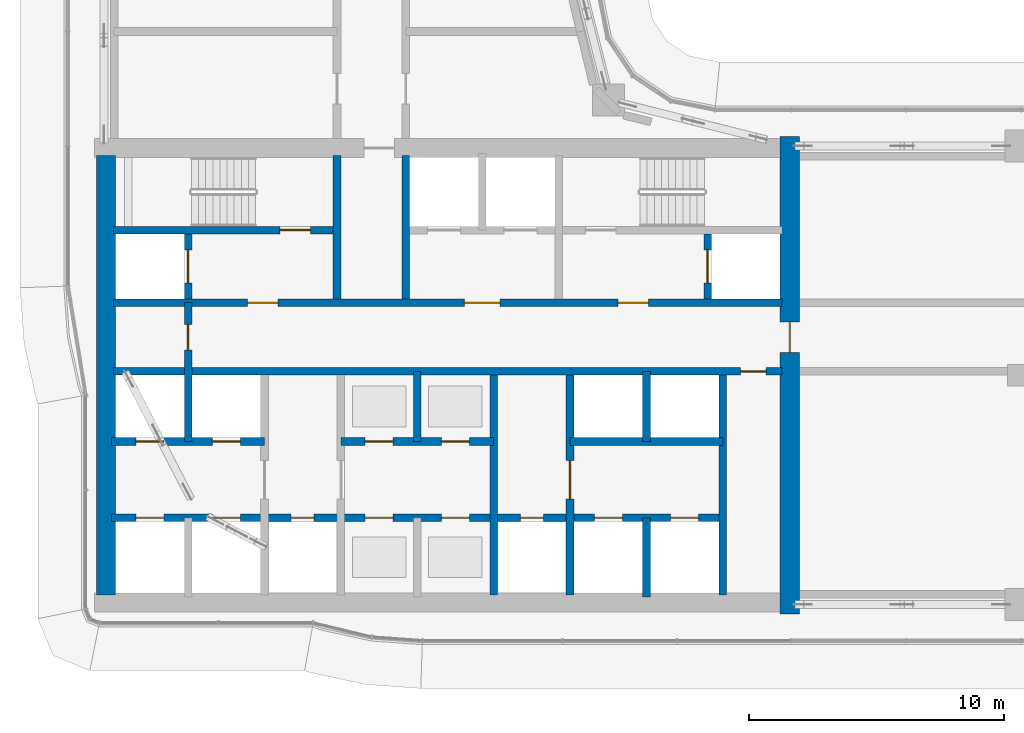
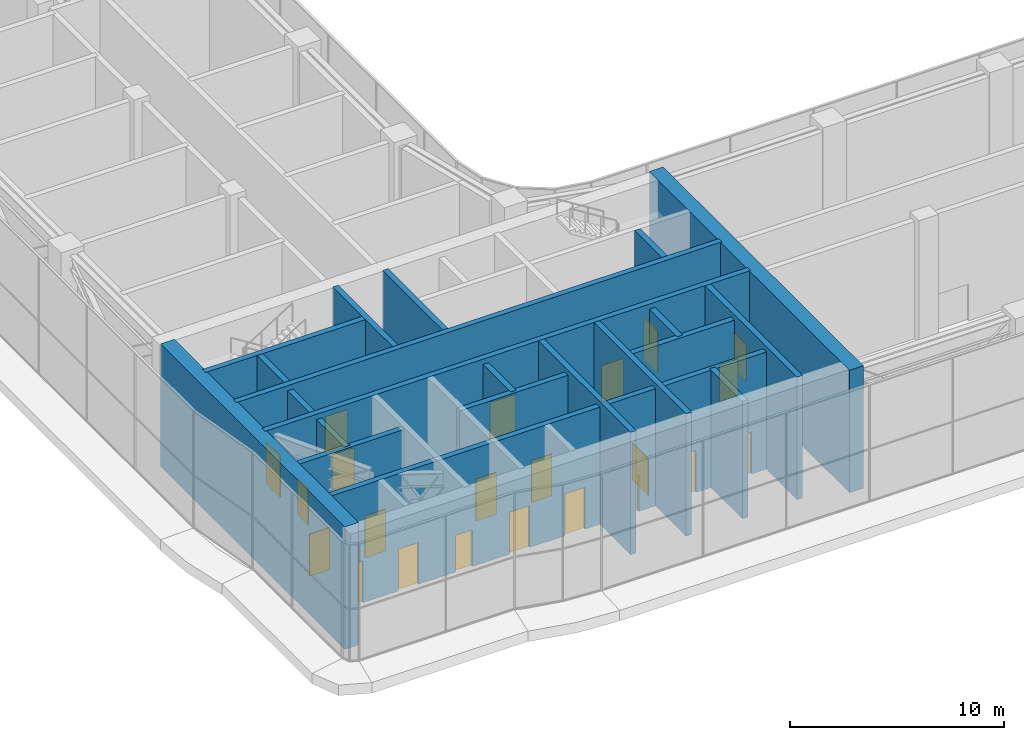
# One storey, part 16 of 35: 22 doors, 20 walls, 22 openings.
"""IFC4 building model written with IfcOpenShell, lengths in metres."""

from ifc_helpers import new_model, si_unit, direction, frame, frame_2d, origin, place, context, subcontext, project, spatial, rectangle, extrude, material, layer, layer_set, type_object, element, fill, save


model = new_model("IFC4")

# Units and contexts
model_context = context("Model", 3, precision=1e-05, world=origin(), true_north=direction((0.0, 1.0)))
body_context = subcontext(model_context, "Body", "Model", "MODEL_VIEW")
ifc_project = project(units=[si_unit("LENGTHUNIT", "METRE"), si_unit("AREAUNIT", "SQUARE_METRE"), si_unit("VOLUMEUNIT", "CUBIC_METRE"), si_unit("PLANEANGLEUNIT", "RADIAN"), si_unit("MASSUNIT", "GRAM", prefix="KILO")], contexts=[model_context])

# Site, building, storey
site_placement = place(None, origin())
site = spatial("IfcSite", under=ifc_project, at=site_placement, CompositionType="ELEMENT")
building_placement = place(site_placement, origin())
building = spatial("IfcBuilding", under=site, at=building_placement, Name="Ogive Portal Towers", CompositionType="ELEMENT")
storey_placement = place(building_placement, frame((0.0, 0.0, 135.199951171875)))
storey = spatial("IfcBuildingStorey", under=building, at=storey_placement, Name="L33", CompositionType="ELEMENT", Elevation=135.199951171875)

# Wall
ifc_material_1 = material(Name="Concrete C60/75", Category="concrete")
ifc_layer_1 = layer(ifc_material_1, 0.300048828125)
ifc_layer_set_1 = layer_set([ifc_layer_1], Name="CORE WALL 300 C60")
wall_type_1 = type_object("IfcWallType", Name="CORE WALL 300 C60", PredefinedType="SHEAR", material=ifc_layer_set_1)
wall_1_placement = place(storey_placement, frame((46.800048828125, 21.875, 0.0), z_axis=(0.0, 0.0, 1.0), x_axis=(0.0, 1.0, 0.0)))
element("IfcWall", 1, at=wall_1_placement, inside=storey, type_object=wall_type_1, Name="Core wall X3 L33", PredefinedType="SHEAR", context=body_context, shape_type="SweptSolid", body=[
    extrude(rectangle(XDim=8.625, YDim=0.300048828125, at=frame_2d((4.3125, 0.0))), origin(), (0.0, 0.0, 1.0), 7.0),
])

# Wall, opening, door
wall_2_placement = place(storey_placement, frame((49.800048828125, 21.875, 0.0), z_axis=(0.0, 0.0, 1.0), x_axis=(0.0, 1.0, 0.0)))
wall_2 = element("IfcWall", 2, at=wall_2_placement, inside=storey, type_object=wall_type_1, Name="Core wall X4 L33", PredefinedType="SHEAR", context=body_context, shape_type="SweptSolid", body=[
    extrude(rectangle(XDim=8.625, YDim=0.300048828125, at=frame_2d((4.3125, 0.0))), origin(), (0.0, 0.0, 1.0), 7.0),
])
opening_1_placement = place(wall_2_placement, frame((3.77490234375, 0.0, 0.0)))
opening_1 = element("IfcOpeningElement", 3, at=opening_1_placement, cuts=wall_2, Name="Opening D12-003", PredefinedType="OPENING", context=body_context, shape_type="SweptSolid", body=[
    extrude(rectangle(XDim=1.5, YDim=2.10009765625, at=frame_2d((0.75, 1.050048828125))), frame((0.0, 0.16015625, 0.0), z_axis=(0.0, -1.0, 0.0), x_axis=(1.0, 0.0, 0.0)), (0.0, 0.0, 1.0), 0.320068359375),
])
ifc_material_2 = material(Name="Steel fire door", Category="steel")
door_type_1 = type_object("IfcDoorType", Name="DT-SWING-1500x2100-FD90S", OperationType="SINGLE_SWING_LEFT", PredefinedType="DOOR", material=ifc_material_2)
door_1_placement = place(opening_1_placement, origin())
door_1 = element("IfcDoor", 4, at=door_1_placement, inside=storey, type_object=door_type_1, Name="Door D12-003", OperationType="SINGLE_SWING_LEFT", OverallHeight=2.10009765625, OverallWidth=1.5, PredefinedType="DOOR", context=body_context, shape_type="SweptSolid", body=[
    extrude(rectangle(XDim=1.5, YDim=2.10009765625, at=frame_2d((0.75, 1.050048828125))), frame((0.0, 0.02490234375, 0.0), z_axis=(0.0, -1.0, 0.0), x_axis=(1.0, 0.0, 0.0)), (0.0, 0.0, 1.0), 0.050048828125),
])
fill(opening_1, door_1)

# Wall
wall_3_placement = place(storey_placement, frame((55.800048828125, 21.875, 0.0), z_axis=(0.0, 0.0, 1.0), x_axis=(0.0, 1.0, 0.0)))
element("IfcWall", 5, at=wall_3_placement, inside=storey, type_object=wall_type_1, Name="Core wall X5 L33", PredefinedType="SHEAR", context=body_context, shape_type="SweptSolid", body=[
    extrude(rectangle(XDim=8.625, YDim=0.300048828125, at=frame_2d((4.3125, 0.0))), origin(), (0.0, 0.0, 1.0), 7.0),
])

# Wall, opening, door
wall_4_placement = place(storey_placement, frame((31.875, 30.64990234375, 0.0), z_axis=(0.0, 0.0, 1.0), x_axis=(1.0, 0.0, 0.0)))
wall_4 = element("IfcWall", 6, at=wall_4_placement, inside=storey, type_object=wall_type_1, Name="Core wall Y1 L33", PredefinedType="SHEAR", context=body_context, shape_type="SweptSolid", body=[
    extrude(rectangle(XDim=26.25, YDim=0.300048828125, at=frame_2d((13.125, 0.0))), origin(), (0.0, 0.0, 1.0), 7.0),
])
opening_2_placement = place(wall_4_placement, frame((24.625, 0.0, 0.0)))
opening_2 = element("IfcOpeningElement", 7, at=opening_2_placement, cuts=wall_4, Name="Opening D12-011", PredefinedType="OPENING", context=body_context, shape_type="SweptSolid", body=[
    extrude(rectangle(XDim=1.0, YDim=2.10009765625, at=frame_2d((0.5, 1.050048828125))), frame((0.0, 0.16015625, 0.0), z_axis=(0.0, -1.0, 0.0), x_axis=(1.0, 0.0, 0.0)), (0.0, 0.0, 1.0), 0.320068359375),
])
door_type_2 = type_object("IfcDoorType", Name="DT-SWING-1000x2100-FD90S", OperationType="SINGLE_SWING_LEFT", PredefinedType="DOOR", material=ifc_material_2)
door_2_placement = place(opening_2_placement, origin())
door_2 = element("IfcDoor", 8, at=door_2_placement, inside=storey, type_object=door_type_2, Name="Door D12-011", OperationType="SINGLE_SWING_LEFT", OverallHeight=2.10009765625, OverallWidth=1.0, PredefinedType="DOOR", context=body_context, shape_type="SweptSolid", body=[
    extrude(rectangle(XDim=1.0, YDim=2.10009765625, at=frame_2d((0.5, 1.050048828125))), frame((0.0, 0.02490234375, 0.0), z_axis=(0.0, -1.0, 0.0), x_axis=(1.0, 0.0, 0.0)), (0.0, 0.0, 1.0), 0.050048828125),
])
fill(opening_2, door_2)

# Wall, openings, doors
wall_5_placement = place(storey_placement, frame((31.875, 33.35009765625, 0.0), z_axis=(0.0, 0.0, 1.0), x_axis=(1.0, 0.0, 0.0)))
wall_5 = element("IfcWall", 9, at=wall_5_placement, inside=storey, type_object=wall_type_1, Name="Core wall Y2 L33", PredefinedType="SHEAR", context=body_context, shape_type="SweptSolid", body=[
    extrude(rectangle(XDim=26.25, YDim=0.300048828125, at=frame_2d((13.125, 0.0))), origin(), (0.0, 0.0, 1.0), 7.0),
])
opening_3_placement = place(wall_5_placement, frame((13.77490234375, 0.0, 0.0)))
opening_3 = element("IfcOpeningElement", 10, at=opening_3_placement, cuts=wall_5, Name="Opening D12-004", PredefinedType="OPENING", context=body_context, shape_type="SweptSolid", body=[
    extrude(rectangle(XDim=1.39990234375, YDim=2.10009765625, at=frame_2d((0.699951171875, 1.050048828125))), frame((0.0, 0.16015625, 0.0), z_axis=(0.0, -1.0, 0.0), x_axis=(1.0, 0.0, 0.0)), (0.0, 0.0, 1.0), 0.320068359375),
])
opening_4_placement = place(wall_5_placement, frame((5.25, 0.0, 0.0)))
opening_4 = element("IfcOpeningElement", 11, at=opening_4_placement, cuts=wall_5, Name="Opening D12-005", PredefinedType="OPENING", context=body_context, shape_type="SweptSolid", body=[
    extrude(rectangle(XDim=1.199951171875, YDim=2.10009765625, at=frame_2d((0.60009765625, 1.050048828125))), frame((0.0, 0.16015625, 0.0), z_axis=(0.0, -1.0, 0.0), x_axis=(1.0, 0.0, 0.0)), (0.0, 0.0, 1.0), 0.320068359375),
])
opening_5_placement = place(wall_5_placement, frame((19.800048828125, 0.0, 0.0)))
opening_5 = element("IfcOpeningElement", 12, at=opening_5_placement, cuts=wall_5, Name="Opening D12-006", PredefinedType="OPENING", context=body_context, shape_type="SweptSolid", body=[
    extrude(rectangle(XDim=1.199951171875, YDim=2.10009765625, at=frame_2d((0.60009765625, 1.050048828125))), frame((0.0, 0.16015625, 0.0), z_axis=(0.0, -1.0, 0.0), x_axis=(1.0, 0.0, 0.0)), (0.0, 0.0, 1.0), 0.320068359375),
])
door_type_3 = type_object("IfcDoorType", Name="DT-SWING-1200x2100-FD90S", OperationType="SINGLE_SWING_LEFT", PredefinedType="DOOR", material=ifc_material_2)
door_3_placement = place(opening_4_placement, origin())
door_3 = element("IfcDoor", 13, at=door_3_placement, inside=storey, type_object=door_type_3, Name="Door D12-005", OperationType="SINGLE_SWING_LEFT", OverallHeight=2.10009765625, OverallWidth=1.199951171875, PredefinedType="DOOR", context=body_context, shape_type="SweptSolid", body=[
    extrude(rectangle(XDim=1.199951171875, YDim=2.10009765625, at=frame_2d((0.60009765625, 1.050048828125))), frame((0.0, 0.02490234375, 0.0), z_axis=(0.0, -1.0, 0.0), x_axis=(1.0, 0.0, 0.0)), (0.0, 0.0, 1.0), 0.050048828125),
])
fill(opening_4, door_3)
door_4_placement = place(opening_5_placement, origin())
door_4 = element("IfcDoor", 14, at=door_4_placement, inside=storey, type_object=door_type_3, Name="Door D12-006", OperationType="SINGLE_SWING_RIGHT", OverallHeight=2.10009765625, OverallWidth=1.199951171875, PredefinedType="DOOR", context=body_context, shape_type="SweptSolid", body=[
    extrude(rectangle(XDim=1.199951171875, YDim=2.10009765625, at=frame_2d((0.60009765625, 1.050048828125))), frame((0.0, 0.02490234375, 0.0), z_axis=(0.0, -1.0, 0.0), x_axis=(1.0, 0.0, 0.0)), (0.0, 0.0, 1.0), 0.050048828125),
])
fill(opening_5, door_4)
door_type_4 = type_object("IfcDoorType", Name="DT-SWING-1400x2100-FD90S", OperationType="SINGLE_SWING_LEFT", PredefinedType="DOOR", material=ifc_material_2)
door_5_placement = place(opening_3_placement, origin())
door_5 = element("IfcDoor", 15, at=door_5_placement, inside=storey, type_object=door_type_4, Name="Door D12-004", OperationType="SINGLE_SWING_RIGHT", OverallHeight=2.10009765625, OverallWidth=1.39990234375, PredefinedType="DOOR", context=body_context, shape_type="SweptSolid", body=[
    extrude(rectangle(XDim=1.39990234375, YDim=2.10009765625, at=frame_2d((0.699951171875, 1.050048828125))), frame((0.0, 0.02490234375, 0.0), z_axis=(0.0, -1.0, 0.0), x_axis=(1.0, 0.0, 0.0)), (0.0, 0.0, 1.0), 0.050048828125),
])
fill(opening_3, door_5)

# Wall, opening, door
wall_6_placement = place(storey_placement, frame((31.875, 36.199951171875, 0.0), z_axis=(0.0, 0.0, 1.0), x_axis=(1.0, 0.0, 0.0)))
wall_6 = element("IfcWall", 16, at=wall_6_placement, inside=storey, type_object=wall_type_1, Name="Core wall Y3a L33", PredefinedType="SHEAR", context=body_context, shape_type="SweptSolid", body=[
    extrude(rectangle(XDim=8.625, YDim=0.300048828125, at=frame_2d((4.3125, 0.0))), origin(), (0.0, 0.0, 1.0), 7.0),
])
opening_6_placement = place(wall_6_placement, frame((6.52490234375, 0.0, 0.0)))
opening_6 = element("IfcOpeningElement", 17, at=opening_6_placement, cuts=wall_6, Name="Opening D12-007", PredefinedType="OPENING", context=body_context, shape_type="SweptSolid", body=[
    extrude(rectangle(XDim=1.199951171875, YDim=2.10009765625, at=frame_2d((0.60009765625, 1.050048828125))), frame((0.0, 0.16015625, 0.0), z_axis=(0.0, -1.0, 0.0), x_axis=(1.0, 0.0, 0.0)), (0.0, 0.0, 1.0), 0.320068359375),
])
door_6_placement = place(opening_6_placement, origin())
door_6 = element("IfcDoor", 18, at=door_6_placement, inside=storey, type_object=door_type_3, Name="Door D12-007", OperationType="SINGLE_SWING_RIGHT", OverallHeight=2.10009765625, OverallWidth=1.199951171875, PredefinedType="DOOR", context=body_context, shape_type="SweptSolid", body=[
    extrude(rectangle(XDim=1.199951171875, YDim=2.10009765625, at=frame_2d((0.60009765625, 1.050048828125))), frame((0.0, 0.02490234375, 0.0), z_axis=(0.0, -1.0, 0.0), x_axis=(1.0, 0.0, 0.0)), (0.0, 0.0, 1.0), 0.050048828125),
])
fill(opening_6, door_6)

# Walls
for number, where, z_axis, x_axis, name in (
    (19, (40.64990234375, 33.5, 0.0), (0.0, 0.0, 1.0), (0.0, 1.0, 0.0), "Core wall X6 L33"),
    (20, (43.35009765625, 33.5, 0.0), (0.0, 0.0, 1.0), (0.0, 1.0, 0.0), "Core wall X7 L33"),
):
    element("IfcWall", number, at=place(storey_placement, frame(where, z_axis=z_axis, x_axis=x_axis)), inside=storey, type_object=wall_type_1, Name=name, PredefinedType="SHEAR", context=body_context, shape_type="SweptSolid", body=[
        extrude(rectangle(XDim=5.625, YDim=0.300048828125, at=frame_2d((2.8125, 0.0))), origin(), (0.0, 0.0, 1.0), 7.0),
    ])

# Wall, opening, door
wall_7_placement = place(storey_placement, frame((34.800048828125, 33.5, 0.0), z_axis=(0.0, 0.0, 1.0), x_axis=(0.0, 1.0, 0.0)))
wall_7 = element("IfcWall", 21, at=wall_7_placement, inside=storey, type_object=wall_type_1, Name="Core wall X8 L33", PredefinedType="SHEAR", context=body_context, shape_type="SweptSolid", body=[
    extrude(rectangle(XDim=2.550048828125, YDim=0.300048828125, at=frame_2d((1.27490234375, 0.0))), origin(), (0.0, 0.0, 1.0), 7.0),
])
opening_7_placement = place(wall_7_placement, frame((0.625, 0.0, 0.0)))
opening_7 = element("IfcOpeningElement", 22, at=opening_7_placement, cuts=wall_7, Name="Opening D12-026", PredefinedType="OPENING", context=body_context, shape_type="SweptSolid", body=[
    extrude(rectangle(XDim=1.300048828125, YDim=2.39990234375, at=frame_2d((0.64990234375, 1.199951171875))), frame((0.0, 0.16015625, 0.0), z_axis=(0.0, -1.0, 0.0), x_axis=(1.0, 0.0, 0.0)), (0.0, 0.0, 1.0), 0.320068359375),
])
ifc_material_3 = material(Name="Stainless steel", Category="steel")
door_type_5 = type_object("IfcDoorType", Name="DT-LD-1300x2400", OperationType="SLIDING_TO_LEFT", PredefinedType="DOOR", material=ifc_material_3)
door_7_placement = place(opening_7_placement, origin())
door_7 = element("IfcDoor", 23, at=door_7_placement, inside=storey, type_object=door_type_5, Name="Door D12-026", OperationType="SLIDING_TO_LEFT", OverallHeight=2.39990234375, OverallWidth=1.300048828125, PredefinedType="DOOR", context=body_context, shape_type="SweptSolid", body=[
    extrude(rectangle(XDim=1.300048828125, YDim=2.39990234375, at=frame_2d((0.64990234375, 1.199951171875))), frame((0.0, 0.02490234375, 0.0), z_axis=(0.0, -1.0, 0.0), x_axis=(1.0, 0.0, 0.0)), (0.0, 0.0, 1.0), 0.050048828125),
])
fill(opening_7, door_7)

wall_8_placement = place(storey_placement, frame((55.199951171875, 33.5, 0.0), z_axis=(0.0, 0.0, 1.0), x_axis=(0.0, 1.0, 0.0)))
wall_8 = element("IfcWall", 24, at=wall_8_placement, inside=storey, type_object=wall_type_1, Name="Core wall X10 L33", PredefinedType="SHEAR", context=body_context, shape_type="SweptSolid", body=[
    extrude(rectangle(XDim=2.550048828125, YDim=0.300048828125, at=frame_2d((1.27490234375, 0.0))), origin(), (0.0, 0.0, 1.0), 7.0),
])
opening_8_placement = place(wall_8_placement, frame((0.625, 0.0, 0.0)))
opening_8 = element("IfcOpeningElement", 25, at=opening_8_placement, cuts=wall_8, Name="Opening D12-027", PredefinedType="OPENING", context=body_context, shape_type="SweptSolid", body=[
    extrude(rectangle(XDim=1.300048828125, YDim=2.39990234375, at=frame_2d((0.64990234375, 1.199951171875))), frame((0.0, 0.16015625, 0.0), z_axis=(0.0, -1.0, 0.0), x_axis=(1.0, 0.0, 0.0)), (0.0, 0.0, 1.0), 0.320068359375),
])
door_8_placement = place(opening_8_placement, origin())
door_8 = element("IfcDoor", 26, at=door_8_placement, inside=storey, type_object=door_type_5, Name="Door D12-027", OperationType="SLIDING_TO_LEFT", OverallHeight=2.39990234375, OverallWidth=1.300048828125, PredefinedType="DOOR", context=body_context, shape_type="SweptSolid", body=[
    extrude(rectangle(XDim=1.300048828125, YDim=2.39990234375, at=frame_2d((0.64990234375, 1.199951171875))), frame((0.0, 0.02490234375, 0.0), z_axis=(0.0, -1.0, 0.0), x_axis=(1.0, 0.0, 0.0)), (0.0, 0.0, 1.0), 0.050048828125),
])
fill(opening_8, door_8)

# Wall
ifc_layer_2 = layer(ifc_material_1, 0.75)
ifc_layer_set_2 = layer_set([ifc_layer_2], Name="CORE WALL 750 C60")
wall_type_2 = type_object("IfcWallType", Name="CORE WALL 750 C60", PredefinedType="SHEAR", material=ifc_layer_set_2)
wall_9_placement = place(storey_placement, frame((31.574951171875, 21.875, 0.0), z_axis=(0.0, 0.0, 1.0), x_axis=(0.0, 1.0, 0.0)))
element("IfcWall", 27, at=wall_9_placement, inside=storey, type_object=wall_type_2, Name="Core wall W L33", PredefinedType="SHEAR", context=body_context, shape_type="SweptSolid", body=[
    extrude(rectangle(XDim=17.25, YDim=0.75, at=frame_2d((8.625, 0.0))), origin(), (0.0, 0.0, 1.0), 7.0),
])

# Wall, opening, door
wall_10_placement = place(storey_placement, frame((58.425048828125, 21.125, 0.0), z_axis=(0.0, 0.0, 1.0), x_axis=(0.0, 1.0, 0.0)))
wall_10 = element("IfcWall", 28, at=wall_10_placement, inside=storey, type_object=wall_type_2, Name="Core wall E L33", PredefinedType="SHEAR", context=body_context, shape_type="SweptSolid", body=[
    extrude(rectangle(XDim=18.75, YDim=0.75, at=frame_2d((9.375, 0.0))), origin(), (0.0, 0.0, 1.0), 7.0),
])
opening_9_placement = place(wall_10_placement, frame((10.27490234375, 0.0, 0.0)))
opening_9 = element("IfcOpeningElement", 29, at=opening_9_placement, cuts=wall_10, Name="Opening D12-012", PredefinedType="OPENING", context=body_context, shape_type="SweptSolid", body=[
    extrude(rectangle(XDim=1.199951171875, YDim=2.10009765625, at=frame_2d((0.60009765625, 1.050048828125))), frame((0.0, 0.385009765625, 0.0), z_axis=(0.0, -1.0, 0.0), x_axis=(1.0, 0.0, 0.0)), (0.0, 0.0, 1.0), 0.77001953125),
])
door_9_placement = place(opening_9_placement, origin())
door_9 = element("IfcDoor", 30, at=door_9_placement, inside=storey, type_object=door_type_3, Name="Door D12-012", OperationType="SINGLE_SWING_LEFT", OverallHeight=2.10009765625, OverallWidth=1.199951171875, PredefinedType="DOOR", context=body_context, shape_type="SweptSolid", body=[
    extrude(rectangle(XDim=1.199951171875, YDim=2.10009765625, at=frame_2d((0.60009765625, 1.050048828125))), frame((0.0, 0.02490234375, 0.0), z_axis=(0.0, -1.0, 0.0), x_axis=(1.0, 0.0, 0.0)), (0.0, 0.0, 1.0), 0.050048828125),
])
fill(opening_9, door_9)

# Wall, openings, doors
ifc_material_4 = material(Name="Concrete C40/50", Category="concrete")
ifc_layer_3 = layer(ifc_material_4, 0.300048828125)
ifc_layer_set_3 = layer_set([ifc_layer_3], Name="WT-SHAFT-300")
wall_type_3 = type_object("IfcWallType", Name="WT-SHAFT-300", PredefinedType="SOLIDWALL", material=ifc_layer_set_3)
wall_11_placement = place(storey_placement, frame((31.800048828125, 24.89990234375, 0.0), z_axis=(0.0, 0.0, 1.0), x_axis=(1.0, 0.0, 0.0)))
wall_11 = element("IfcWall", 31, at=wall_11_placement, inside=storey, type_object=wall_type_3, Name="Wall pw:001:L33", PredefinedType="SOLIDWALL", context=body_context, shape_type="SweptSolid", body=[
    extrude(rectangle(XDim=24.0, YDim=0.300048828125, at=frame_2d((12.0, 0.0))), origin(), (0.0, 0.0, 1.0), 6.699951171875),
])
opening_10_placement = place(wall_11_placement, frame((7.050048828125, 0.0, 0.0)))
opening_10 = element("IfcOpeningElement", 32, at=opening_10_placement, cuts=wall_11, Name="Opening D12-009", PredefinedType="OPENING", context=body_context, shape_type="SweptSolid", body=[
    extrude(rectangle(XDim=0.89990234375, YDim=2.10009765625, at=frame_2d((0.449951171875, 1.050048828125))), frame((0.0, 0.16015625, 0.0), z_axis=(0.0, -1.0, 0.0), x_axis=(1.0, 0.0, 0.0)), (0.0, 0.0, 1.0), 0.320068359375),
])
opening_11_placement = place(wall_11_placement, frame((16.050048828125, 0.0, 0.0)))
opening_11 = element("IfcOpeningElement", 33, at=opening_11_placement, cuts=wall_11, Name="Opening D12-010", PredefinedType="OPENING", context=body_context, shape_type="SweptSolid", body=[
    extrude(rectangle(XDim=0.89990234375, YDim=2.10009765625, at=frame_2d((0.449951171875, 1.050048828125))), frame((0.0, 0.16015625, 0.0), z_axis=(0.0, -1.0, 0.0), x_axis=(1.0, 0.0, 0.0)), (0.0, 0.0, 1.0), 0.320068359375),
])
opening_12_placement = place(wall_11_placement, frame((0.949951171875, 0.0, 0.0)))
opening_12 = element("IfcOpeningElement", 34, at=opening_12_placement, cuts=wall_11, Name="Opening D12-014", PredefinedType="OPENING", context=body_context, shape_type="SweptSolid", body=[
    extrude(rectangle(XDim=1.10009765625, YDim=2.39990234375, at=frame_2d((0.550048828125, 1.199951171875))), frame((0.0, 0.16015625, 0.0), z_axis=(0.0, -1.0, 0.0), x_axis=(1.0, 0.0, 0.0)), (0.0, 0.0, 1.0), 0.320068359375),
])
opening_13_placement = place(wall_11_placement, frame((3.949951171875, 0.0, 0.0)))
opening_13 = element("IfcOpeningElement", 35, at=opening_13_placement, cuts=wall_11, Name="Opening D12-015", PredefinedType="OPENING", context=body_context, shape_type="SweptSolid", body=[
    extrude(rectangle(XDim=1.10009765625, YDim=2.39990234375, at=frame_2d((0.550048828125, 1.199951171875))), frame((0.0, 0.16015625, 0.0), z_axis=(0.0, -1.0, 0.0), x_axis=(1.0, 0.0, 0.0)), (0.0, 0.0, 1.0), 0.320068359375),
])
opening_14_placement = place(wall_11_placement, frame((9.949951171875, 0.0, 0.0)))
opening_14 = element("IfcOpeningElement", 36, at=opening_14_placement, cuts=wall_11, Name="Opening D12-018", PredefinedType="OPENING", context=body_context, shape_type="SweptSolid", body=[
    extrude(rectangle(XDim=1.10009765625, YDim=2.39990234375, at=frame_2d((0.550048828125, 1.199951171875))), frame((0.0, 0.16015625, 0.0), z_axis=(0.0, -1.0, 0.0), x_axis=(1.0, 0.0, 0.0)), (0.0, 0.0, 1.0), 0.320068359375),
])
opening_15_placement = place(wall_11_placement, frame((12.949951171875, 0.0, 0.0)))
opening_15 = element("IfcOpeningElement", 37, at=opening_15_placement, cuts=wall_11, Name="Opening D12-019", PredefinedType="OPENING", context=body_context, shape_type="SweptSolid", body=[
    extrude(rectangle(XDim=1.10009765625, YDim=2.39990234375, at=frame_2d((0.550048828125, 1.199951171875))), frame((0.0, 0.16015625, 0.0), z_axis=(0.0, -1.0, 0.0), x_axis=(1.0, 0.0, 0.0)), (0.0, 0.0, 1.0), 0.320068359375),
])
opening_16_placement = place(wall_11_placement, frame((18.949951171875, 0.0, 0.0)))
opening_16 = element("IfcOpeningElement", 38, at=opening_16_placement, cuts=wall_11, Name="Opening D12-022", PredefinedType="OPENING", context=body_context, shape_type="SweptSolid", body=[
    extrude(rectangle(XDim=1.10009765625, YDim=2.39990234375, at=frame_2d((0.550048828125, 1.199951171875))), frame((0.0, 0.16015625, 0.0), z_axis=(0.0, -1.0, 0.0), x_axis=(1.0, 0.0, 0.0)), (0.0, 0.0, 1.0), 0.320068359375),
])
opening_17_placement = place(wall_11_placement, frame((21.949951171875, 0.0, 0.0)))
opening_17 = element("IfcOpeningElement", 39, at=opening_17_placement, cuts=wall_11, Name="Opening D12-023", PredefinedType="OPENING", context=body_context, shape_type="SweptSolid", body=[
    extrude(rectangle(XDim=1.10009765625, YDim=2.39990234375, at=frame_2d((0.550048828125, 1.199951171875))), frame((0.0, 0.16015625, 0.0), z_axis=(0.0, -1.0, 0.0), x_axis=(1.0, 0.0, 0.0)), (0.0, 0.0, 1.0), 0.320068359375),
])
door_type_6 = type_object("IfcDoorType", Name="DT-LD-1100x2400", OperationType="SLIDING_TO_LEFT", PredefinedType="DOOR", material=ifc_material_3)
door_10_placement = place(opening_12_placement, origin())
door_10 = element("IfcDoor", 40, at=door_10_placement, inside=storey, type_object=door_type_6, Name="Door D12-014", OperationType="SLIDING_TO_LEFT", OverallHeight=2.39990234375, OverallWidth=1.10009765625, PredefinedType="DOOR", context=body_context, shape_type="SweptSolid", body=[
    extrude(rectangle(XDim=1.10009765625, YDim=2.39990234375, at=frame_2d((0.550048828125, 1.199951171875))), frame((0.0, 0.02490234375, 0.0), z_axis=(0.0, -1.0, 0.0), x_axis=(1.0, 0.0, 0.0)), (0.0, 0.0, 1.0), 0.050048828125),
])
fill(opening_12, door_10)
door_11_placement = place(opening_13_placement, origin())
door_11 = element("IfcDoor", 41, at=door_11_placement, inside=storey, type_object=door_type_6, Name="Door D12-015", OperationType="SLIDING_TO_LEFT", OverallHeight=2.39990234375, OverallWidth=1.10009765625, PredefinedType="DOOR", context=body_context, shape_type="SweptSolid", body=[
    extrude(rectangle(XDim=1.10009765625, YDim=2.39990234375, at=frame_2d((0.550048828125, 1.199951171875))), frame((0.0, 0.02490234375, 0.0), z_axis=(0.0, -1.0, 0.0), x_axis=(1.0, 0.0, 0.0)), (0.0, 0.0, 1.0), 0.050048828125),
])
fill(opening_13, door_11)
door_12_placement = place(opening_14_placement, origin())
door_12 = element("IfcDoor", 42, at=door_12_placement, inside=storey, type_object=door_type_6, Name="Door D12-018", OperationType="SLIDING_TO_LEFT", OverallHeight=2.39990234375, OverallWidth=1.10009765625, PredefinedType="DOOR", context=body_context, shape_type="SweptSolid", body=[
    extrude(rectangle(XDim=1.10009765625, YDim=2.39990234375, at=frame_2d((0.550048828125, 1.199951171875))), frame((0.0, 0.02490234375, 0.0), z_axis=(0.0, -1.0, 0.0), x_axis=(1.0, 0.0, 0.0)), (0.0, 0.0, 1.0), 0.050048828125),
])
fill(opening_14, door_12)
door_13_placement = place(opening_15_placement, origin())
door_13 = element("IfcDoor", 43, at=door_13_placement, inside=storey, type_object=door_type_6, Name="Door D12-019", OperationType="SLIDING_TO_LEFT", OverallHeight=2.39990234375, OverallWidth=1.10009765625, PredefinedType="DOOR", context=body_context, shape_type="SweptSolid", body=[
    extrude(rectangle(XDim=1.10009765625, YDim=2.39990234375, at=frame_2d((0.550048828125, 1.199951171875))), frame((0.0, 0.02490234375, 0.0), z_axis=(0.0, -1.0, 0.0), x_axis=(1.0, 0.0, 0.0)), (0.0, 0.0, 1.0), 0.050048828125),
])
fill(opening_15, door_13)
door_14_placement = place(opening_16_placement, origin())
door_14 = element("IfcDoor", 44, at=door_14_placement, inside=storey, type_object=door_type_6, Name="Door D12-022", OperationType="SLIDING_TO_LEFT", OverallHeight=2.39990234375, OverallWidth=1.10009765625, PredefinedType="DOOR", context=body_context, shape_type="SweptSolid", body=[
    extrude(rectangle(XDim=1.10009765625, YDim=2.39990234375, at=frame_2d((0.550048828125, 1.199951171875))), frame((0.0, 0.02490234375, 0.0), z_axis=(0.0, -1.0, 0.0), x_axis=(1.0, 0.0, 0.0)), (0.0, 0.0, 1.0), 0.050048828125),
])
fill(opening_16, door_14)
door_15_placement = place(opening_17_placement, origin())
door_15 = element("IfcDoor", 45, at=door_15_placement, inside=storey, type_object=door_type_6, Name="Door D12-023", OperationType="SLIDING_TO_LEFT", OverallHeight=2.39990234375, OverallWidth=1.10009765625, PredefinedType="DOOR", context=body_context, shape_type="SweptSolid", body=[
    extrude(rectangle(XDim=1.10009765625, YDim=2.39990234375, at=frame_2d((0.550048828125, 1.199951171875))), frame((0.0, 0.02490234375, 0.0), z_axis=(0.0, -1.0, 0.0), x_axis=(1.0, 0.0, 0.0)), (0.0, 0.0, 1.0), 0.050048828125),
])
fill(opening_17, door_15)
door_type_7 = type_object("IfcDoorType", Name="DT-SWING-900x2100-FD90S", OperationType="SINGLE_SWING_LEFT", PredefinedType="DOOR", material=ifc_material_2)
door_16_placement = place(opening_10_placement, origin())
door_16 = element("IfcDoor", 46, at=door_16_placement, inside=storey, type_object=door_type_7, Name="Riser access door D12-009", OperationType="SINGLE_SWING_LEFT", OverallHeight=2.10009765625, OverallWidth=0.89990234375, PredefinedType="DOOR", context=body_context, shape_type="SweptSolid", body=[
    extrude(rectangle(XDim=0.89990234375, YDim=2.10009765625, at=frame_2d((0.449951171875, 1.050048828125))), frame((0.0, 0.02490234375, 0.0), z_axis=(0.0, -1.0, 0.0), x_axis=(1.0, 0.0, 0.0)), (0.0, 0.0, 1.0), 0.050048828125),
])
fill(opening_10, door_16)
door_17_placement = place(opening_11_placement, origin())
door_17 = element("IfcDoor", 47, at=door_17_placement, inside=storey, type_object=door_type_7, Name="Riser access door D12-010", OperationType="SINGLE_SWING_RIGHT", OverallHeight=2.10009765625, OverallWidth=0.89990234375, PredefinedType="DOOR", context=body_context, shape_type="SweptSolid", body=[
    extrude(rectangle(XDim=0.89990234375, YDim=2.10009765625, at=frame_2d((0.449951171875, 1.050048828125))), frame((0.0, 0.02490234375, 0.0), z_axis=(0.0, -1.0, 0.0), x_axis=(1.0, 0.0, 0.0)), (0.0, 0.0, 1.0), 0.050048828125),
])
fill(opening_11, door_17)

wall_12_placement = place(storey_placement, frame((31.800048828125, 27.89990234375, 0.0), z_axis=(0.0, 0.0, 1.0), x_axis=(1.0, 0.0, 0.0)))
wall_12 = element("IfcWall", 48, at=wall_12_placement, inside=storey, type_object=wall_type_3, Name="Wall pw:002:L33", PredefinedType="SOLIDWALL", context=body_context, shape_type="SweptSolid", body=[
    extrude(rectangle(XDim=6.0, YDim=0.300048828125, at=frame_2d((3.0, 0.0))), origin(), (0.0, 0.0, 1.0), 6.699951171875),
])
opening_18_placement = place(wall_12_placement, frame((0.949951171875, 0.0, 0.0)))
opening_18 = element("IfcOpeningElement", 49, at=opening_18_placement, cuts=wall_12, Name="Opening D12-016", PredefinedType="OPENING", context=body_context, shape_type="SweptSolid", body=[
    extrude(rectangle(XDim=1.10009765625, YDim=2.39990234375, at=frame_2d((0.550048828125, 1.199951171875))), frame((0.0, 0.16015625, 0.0), z_axis=(0.0, -1.0, 0.0), x_axis=(1.0, 0.0, 0.0)), (0.0, 0.0, 1.0), 0.320068359375),
])
opening_19_placement = place(wall_12_placement, frame((3.949951171875, 0.0, 0.0)))
opening_19 = element("IfcOpeningElement", 50, at=opening_19_placement, cuts=wall_12, Name="Opening D12-017", PredefinedType="OPENING", context=body_context, shape_type="SweptSolid", body=[
    extrude(rectangle(XDim=1.10009765625, YDim=2.39990234375, at=frame_2d((0.550048828125, 1.199951171875))), frame((0.0, 0.16015625, 0.0), z_axis=(0.0, -1.0, 0.0), x_axis=(1.0, 0.0, 0.0)), (0.0, 0.0, 1.0), 0.320068359375),
])
door_18_placement = place(opening_18_placement, origin())
door_18 = element("IfcDoor", 51, at=door_18_placement, inside=storey, type_object=door_type_6, Name="Door D12-016", OperationType="SLIDING_TO_LEFT", OverallHeight=2.39990234375, OverallWidth=1.10009765625, PredefinedType="DOOR", context=body_context, shape_type="SweptSolid", body=[
    extrude(rectangle(XDim=1.10009765625, YDim=2.39990234375, at=frame_2d((0.550048828125, 1.199951171875))), frame((0.0, 0.02490234375, 0.0), z_axis=(0.0, -1.0, 0.0), x_axis=(1.0, 0.0, 0.0)), (0.0, 0.0, 1.0), 0.050048828125),
])
fill(opening_18, door_18)
door_19_placement = place(opening_19_placement, origin())
door_19 = element("IfcDoor", 52, at=door_19_placement, inside=storey, type_object=door_type_6, Name="Door D12-017", OperationType="SLIDING_TO_LEFT", OverallHeight=2.39990234375, OverallWidth=1.10009765625, PredefinedType="DOOR", context=body_context, shape_type="SweptSolid", body=[
    extrude(rectangle(XDim=1.10009765625, YDim=2.39990234375, at=frame_2d((0.550048828125, 1.199951171875))), frame((0.0, 0.02490234375, 0.0), z_axis=(0.0, -1.0, 0.0), x_axis=(1.0, 0.0, 0.0)), (0.0, 0.0, 1.0), 0.050048828125),
])
fill(opening_19, door_19)

wall_13_placement = place(storey_placement, frame((40.800048828125, 27.89990234375, 0.0), z_axis=(0.0, 0.0, 1.0), x_axis=(1.0, 0.0, 0.0)))
wall_13 = element("IfcWall", 53, at=wall_13_placement, inside=storey, type_object=wall_type_3, Name="Wall pw:003:L33", PredefinedType="SOLIDWALL", context=body_context, shape_type="SweptSolid", body=[
    extrude(rectangle(XDim=6.0, YDim=0.300048828125, at=frame_2d((3.0, 0.0))), origin(), (0.0, 0.0, 1.0), 6.699951171875),
])
opening_20_placement = place(wall_13_placement, frame((0.949951171875, 0.0, 0.0)))
opening_20 = element("IfcOpeningElement", 54, at=opening_20_placement, cuts=wall_13, Name="Opening D12-020", PredefinedType="OPENING", context=body_context, shape_type="SweptSolid", body=[
    extrude(rectangle(XDim=1.10009765625, YDim=2.39990234375, at=frame_2d((0.550048828125, 1.199951171875))), frame((0.0, 0.16015625, 0.0), z_axis=(0.0, -1.0, 0.0), x_axis=(1.0, 0.0, 0.0)), (0.0, 0.0, 1.0), 0.320068359375),
])
opening_21_placement = place(wall_13_placement, frame((3.949951171875, 0.0, 0.0)))
opening_21 = element("IfcOpeningElement", 55, at=opening_21_placement, cuts=wall_13, Name="Opening D12-021", PredefinedType="OPENING", context=body_context, shape_type="SweptSolid", body=[
    extrude(rectangle(XDim=1.10009765625, YDim=2.39990234375, at=frame_2d((0.550048828125, 1.199951171875))), frame((0.0, 0.16015625, 0.0), z_axis=(0.0, -1.0, 0.0), x_axis=(1.0, 0.0, 0.0)), (0.0, 0.0, 1.0), 0.320068359375),
])
door_20_placement = place(opening_20_placement, origin())
door_20 = element("IfcDoor", 56, at=door_20_placement, inside=storey, type_object=door_type_6, Name="Door D12-020", OperationType="SLIDING_TO_LEFT", OverallHeight=2.39990234375, OverallWidth=1.10009765625, PredefinedType="DOOR", context=body_context, shape_type="SweptSolid", body=[
    extrude(rectangle(XDim=1.10009765625, YDim=2.39990234375, at=frame_2d((0.550048828125, 1.199951171875))), frame((0.0, 0.02490234375, 0.0), z_axis=(0.0, -1.0, 0.0), x_axis=(1.0, 0.0, 0.0)), (0.0, 0.0, 1.0), 0.050048828125),
])
fill(opening_20, door_20)
door_21_placement = place(opening_21_placement, origin())
door_21 = element("IfcDoor", 57, at=door_21_placement, inside=storey, type_object=door_type_6, Name="Door D12-021", OperationType="SLIDING_TO_LEFT", OverallHeight=2.39990234375, OverallWidth=1.10009765625, PredefinedType="DOOR", context=body_context, shape_type="SweptSolid", body=[
    extrude(rectangle(XDim=1.10009765625, YDim=2.39990234375, at=frame_2d((0.550048828125, 1.199951171875))), frame((0.0, 0.02490234375, 0.0), z_axis=(0.0, -1.0, 0.0), x_axis=(1.0, 0.0, 0.0)), (0.0, 0.0, 1.0), 0.050048828125),
])
fill(opening_21, door_21)

# Wall
wall_14_placement = place(storey_placement, frame((49.800048828125, 27.89990234375, 0.0), z_axis=(0.0, 0.0, 1.0), x_axis=(1.0, 0.0, 0.0)))
element("IfcWall", 58, at=wall_14_placement, inside=storey, type_object=wall_type_3, Name="Wall pw:004:L33", PredefinedType="SOLIDWALL", context=body_context, shape_type="SweptSolid", body=[
    extrude(rectangle(XDim=6.0, YDim=0.300048828125, at=frame_2d((3.0, 0.0))), origin(), (0.0, 0.0, 1.0), 6.699951171875),
])

# Wall, opening, door
wall_15_placement = place(storey_placement, frame((34.800048828125, 27.89990234375, 0.0), z_axis=(0.0, 0.0, 1.0), x_axis=(0.0, 1.0, 0.0)))
wall_15 = element("IfcWall", 59, at=wall_15_placement, inside=storey, type_object=wall_type_3, Name="Wall pw:006:L33", PredefinedType="SOLIDWALL", context=body_context, shape_type="SweptSolid", body=[
    extrude(rectangle(XDim=5.4501953125, YDim=0.300048828125, at=frame_2d((2.72509765625, 0.0))), origin(), (0.0, 0.0, 1.0), 6.699951171875),
])
opening_22_placement = place(wall_15_placement, frame((3.60009765625, 0.0, 0.0)))
opening_22 = element("IfcOpeningElement", 60, at=opening_22_placement, cuts=wall_15, Name="Opening D12-028", PredefinedType="OPENING", context=body_context, shape_type="SweptSolid", body=[
    extrude(rectangle(XDim=1.0, YDim=2.10009765625, at=frame_2d((0.5, 1.050048828125))), frame((0.0, 0.16015625, 0.0), z_axis=(0.0, -1.0, 0.0), x_axis=(1.0, 0.0, 0.0)), (0.0, 0.0, 1.0), 0.320068359375),
])
door_22_placement = place(opening_22_placement, origin())
door_22 = element("IfcDoor", 61, at=door_22_placement, inside=storey, type_object=door_type_2, Name="Door D12-028", OperationType="SINGLE_SWING_LEFT", OverallHeight=2.10009765625, OverallWidth=1.0, PredefinedType="DOOR", context=body_context, shape_type="SweptSolid", body=[
    extrude(rectangle(XDim=1.0, YDim=2.10009765625, at=frame_2d((0.5, 1.050048828125))), frame((0.0, 0.02490234375, 0.0), z_axis=(0.0, -1.0, 0.0), x_axis=(1.0, 0.0, 0.0)), (0.0, 0.0, 1.0), 0.050048828125),
])
fill(opening_22, door_22)

# Walls
wall_16_placement = place(storey_placement, frame((43.800048828125, 27.89990234375, 0.0), z_axis=(0.0, 0.0, 1.0), x_axis=(0.0, 1.0, 0.0)))
element("IfcWall", 62, at=wall_16_placement, inside=storey, type_object=wall_type_3, Name="Wall pw:008:L33", PredefinedType="SOLIDWALL", context=body_context, shape_type="SweptSolid", body=[
    extrude(rectangle(XDim=2.75, YDim=0.300048828125, at=frame_2d((1.375, 0.0))), origin(), (0.0, 0.0, 1.0), 6.699951171875),
])
wall_17_placement = place(storey_placement, frame((52.800048828125, 21.800048828125, 0.0), z_axis=(0.0, 0.0, 1.0), x_axis=(0.0, 1.0, 0.0)))
element("IfcWall", 63, at=wall_17_placement, inside=storey, type_object=wall_type_3, Name="Wall pw:010:L33", PredefinedType="SOLIDWALL", context=body_context, shape_type="SweptSolid", body=[
    extrude(rectangle(XDim=3.099853515625, YDim=0.300048828125, at=frame_2d((1.5498046875, 0.0))), origin(), (0.0, 0.0, 1.0), 6.699951171875),
])
wall_18_placement = place(storey_placement, frame((52.800048828125, 27.89990234375, 0.0), z_axis=(0.0, 0.0, 1.0), x_axis=(0.0, 1.0, 0.0)))
element("IfcWall", 64, at=wall_18_placement, inside=storey, type_object=wall_type_3, Name="Wall pw:011:L33", PredefinedType="SOLIDWALL", context=body_context, shape_type="SweptSolid", body=[
    extrude(rectangle(XDim=2.75, YDim=0.300048828125, at=frame_2d((1.375, 0.0))), origin(), (0.0, 0.0, 1.0), 6.699951171875),
])

save(model, "model.ifc")
